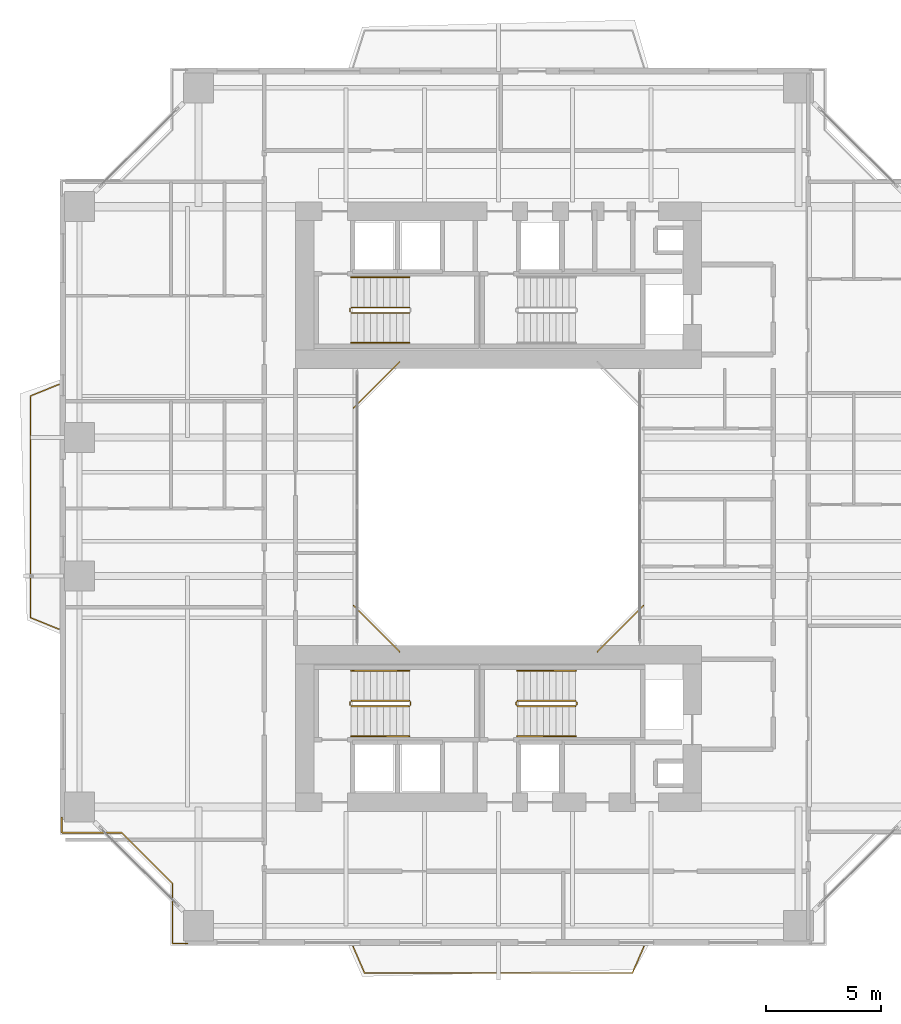
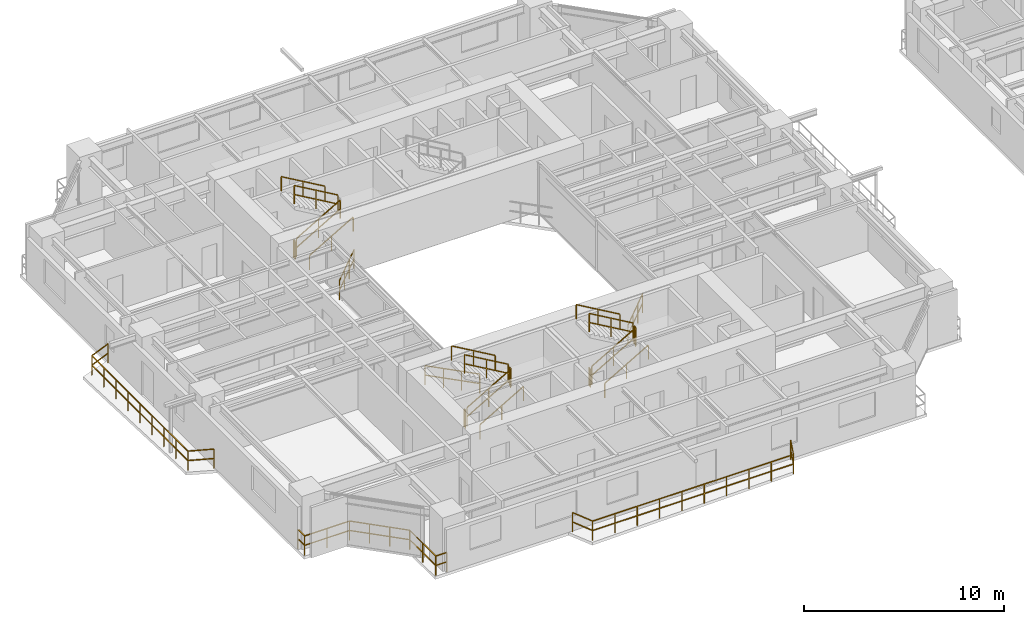
# One storey, part 20 of 23: 23 railings.
"""IFC4 building model written with IfcOpenShell, lengths in metres."""

from ifc_helpers import new_model, si_unit, direction, frame, origin, origin_2d, place, context, subcontext, project, spatial, rectangle, extrude, material, type_object, element, save


model = new_model("IFC4")

# Units and contexts
model_context = context("Model", 3, precision=1e-05, world=origin(), true_north=direction((0.0, 1.0)))
body_context = subcontext(model_context, "Body", "Model", "MODEL_VIEW")
ifc_project = project(units=[si_unit("LENGTHUNIT", "METRE"), si_unit("AREAUNIT", "SQUARE_METRE"), si_unit("VOLUMEUNIT", "CUBIC_METRE"), si_unit("PLANEANGLEUNIT", "RADIAN"), si_unit("MASSUNIT", "GRAM", prefix="KILO"), si_unit("THERMODYNAMICTEMPERATUREUNIT", "KELVIN"), si_unit("POWERUNIT", "WATT")], contexts=[model_context])

# Site, building, storey
site_placement = place(None, origin())
site = spatial("IfcSite", under=ifc_project, at=site_placement, CompositionType="ELEMENT")
building_placement = place(site_placement, origin())
building = spatial("IfcBuilding", under=site, at=building_placement, Name="Qiaomeng Ring Towers", CompositionType="ELEMENT")
storey_placement = place(building_placement, frame((0.0, 0.0, 79.5)))
storey = spatial("IfcBuildingStorey", under=building, at=storey_placement, Name="L22", CompositionType="ELEMENT", Elevation=79.5)

# Railings
ifc_material_1 = material(Name="Low-E pale-green laminated safety glass", Category="glass")
railing_type_1 = type_object("IfcRailingType", Name="ARC-RL-BAL1", PredefinedType="BALUSTRADE", material=ifc_material_1)
railing_1_placement = place(storey_placement, frame((23.280029296875, 16.719970703125, 0.0)))
element("IfcRailing", 1, at=railing_1_placement, inside=storey, type_object=railing_type_1, Name="L22 Balustrade ARC-BAL-WELL1-L22-1", PredefinedType="BALUSTRADE", context=body_context, shape_type="SweptSolid", body=[
    extrude(rectangle(XDim=0.048095703125, YDim=0.048095703125, at=origin_2d()), frame((0.0, 0.0, 1.17578125), z_axis=(0.707106781187, 0.707106781187, 0.0), x_axis=(-0.707106781187, 0.707106781187, 0.0)), (0.0, 0.0, 1.0), 2.828369140625),
    extrude(rectangle(XDim=0.048095703125, YDim=0.048095703125, at=origin_2d()), frame((0.0, 0.0, 0.60009765625), z_axis=(0.707106781187, 0.707106781187, 0.0), x_axis=(-0.707106781187, 0.707106781187, 0.0)), (0.0, 0.0, 1.0), 2.828369140625),
    extrude(rectangle(XDim=0.0419921875, YDim=0.0419921875, at=origin_2d()), origin(), (0.0, 0.0, 1.0), 1.15185546875),
    extrude(rectangle(XDim=0.0419921875, YDim=0.0419921875, at=origin_2d()), frame((0.666748046875, 0.666748046875, 0.0)), (0.0, 0.0, 1.0), 1.15185546875),
    extrude(rectangle(XDim=0.0419921875, YDim=0.0419921875, at=origin_2d()), frame((1.333251953125, 1.333251953125, 0.0)), (0.0, 0.0, 1.0), 1.15185546875),
    extrude(rectangle(XDim=0.0419921875, YDim=0.0419921875, at=origin_2d()), frame((2.0, 2.0, 0.0)), (0.0, 0.0, 1.0), 1.15185546875),
])
railing_2_placement = place(storey_placement, frame((14.719970703125, 29.280029296875, 0.0)))
element("IfcRailing", 2, at=railing_2_placement, inside=storey, type_object=railing_type_1, Name="L22 Balustrade ARC-BAL-WELL1-L22-3", PredefinedType="BALUSTRADE", context=body_context, shape_type="SweptSolid", body=[
    extrude(rectangle(XDim=0.048095703125, YDim=0.048095703125, at=origin_2d()), frame((0.0, 0.0, 1.17578125), z_axis=(-0.707106781187, -0.707106781187, 0.0), x_axis=(0.707106781187, -0.707106781187, 0.0)), (0.0, 0.0, 1.0), 2.828369140625),
    extrude(rectangle(XDim=0.048095703125, YDim=0.048095703125, at=origin_2d()), frame((0.0, 0.0, 0.60009765625), z_axis=(-0.707106781187, -0.707106781187, 0.0), x_axis=(0.707106781187, -0.707106781187, 0.0)), (0.0, 0.0, 1.0), 2.828369140625),
    extrude(rectangle(XDim=0.0419921875, YDim=0.0419921875, at=origin_2d()), origin(), (0.0, 0.0, 1.0), 1.15185546875),
    extrude(rectangle(XDim=0.0419921875, YDim=0.0419921875, at=origin_2d()), frame((-0.666748046875, -0.666748046875, 0.0)), (0.0, 0.0, 1.0), 1.15185546875),
    extrude(rectangle(XDim=0.0419921875, YDim=0.0419921875, at=origin_2d()), frame((-1.333251953125, -1.333251953125, 0.0)), (0.0, 0.0, 1.0), 1.15185546875),
    extrude(rectangle(XDim=0.0419921875, YDim=0.0419921875, at=origin_2d()), frame((-2.0, -2.0, 0.0)), (0.0, 0.0, 1.0), 1.15185546875),
])
railing_3_placement = place(storey_placement, frame((12.719970703125, 18.719970703125, 0.0)))
element("IfcRailing", 3, at=railing_3_placement, inside=storey, type_object=railing_type_1, Name="L22 Balustrade ARC-BAL-WELL1-L22-4", PredefinedType="BALUSTRADE", context=body_context, shape_type="SweptSolid", body=[
    extrude(rectangle(XDim=0.048095703125, YDim=0.048095703125, at=origin_2d()), frame((0.0, 0.0, 1.17578125), z_axis=(0.707106781187, -0.707106781187, 0.0), x_axis=(0.707106781187, 0.707106781187, 0.0)), (0.0, 0.0, 1.0), 2.828369140625),
    extrude(rectangle(XDim=0.048095703125, YDim=0.048095703125, at=origin_2d()), frame((0.0, 0.0, 0.60009765625), z_axis=(0.707106781187, -0.707106781187, 0.0), x_axis=(0.707106781187, 0.707106781187, 0.0)), (0.0, 0.0, 1.0), 2.828369140625),
    extrude(rectangle(XDim=0.0419921875, YDim=0.0419921875, at=origin_2d()), origin(), (0.0, 0.0, 1.0), 1.15185546875),
    extrude(rectangle(XDim=0.0419921875, YDim=0.0419921875, at=origin_2d()), frame((0.666748046875, -0.666748046875, 0.0)), (0.0, 0.0, 1.0), 1.15185546875),
    extrude(rectangle(XDim=0.0419921875, YDim=0.0419921875, at=origin_2d()), frame((1.333251953125, -1.333251953125, 0.0)), (0.0, 0.0, 1.0), 1.15185546875),
    extrude(rectangle(XDim=0.0419921875, YDim=0.0419921875, at=origin_2d()), frame((2.0, -2.0, 0.0)), (0.0, 0.0, 1.0), 1.15185546875),
])
railing_4_placement = place(storey_placement, frame((0.080078125, 9.530029296875, 0.0)))
element("IfcRailing", 4, at=railing_4_placement, inside=storey, type_object=railing_type_1, Name="L22 Balustrade ARC-BAL-NOTCH1-L22-SW", PredefinedType="BALUSTRADE", context=body_context, shape_type="SweptSolid", body=[
    extrude(rectangle(XDim=0.048095703125, YDim=0.048095703125, at=origin_2d()), frame((0.0, 0.0, 1.17578125), z_axis=(0.0, -1.0, 0.0), x_axis=(1.0, 0.0, 0.0)), (0.0, 0.0, 1.0), 0.650146484375),
    extrude(rectangle(XDim=0.048095703125, YDim=0.048095703125, at=origin_2d()), frame((0.0, 0.0, 0.60009765625), z_axis=(0.0, -1.0, 0.0), x_axis=(1.0, 0.0, 0.0)), (0.0, 0.0, 1.0), 0.650146484375),
    extrude(rectangle(XDim=0.048095703125, YDim=0.048095703125, at=origin_2d()), frame((0.0, -0.650146484375, 1.17578125), z_axis=(1.0, 0.0, 0.0), x_axis=(0.0, 1.0, 0.0)), (0.0, 0.0, 1.0), 2.599853515625),
    extrude(rectangle(XDim=0.048095703125, YDim=0.048095703125, at=origin_2d()), frame((0.0, -0.650146484375, 0.60009765625), z_axis=(1.0, 0.0, 0.0), x_axis=(0.0, 1.0, 0.0)), (0.0, 0.0, 1.0), 2.599853515625),
    extrude(rectangle(XDim=0.048095703125, YDim=0.048095703125, at=origin_2d()), frame((2.599853515625, -0.650146484375, 1.17578125), z_axis=(0.707106781187, -0.707106781187, 0.0), x_axis=(0.707106781187, 0.707106781187, 0.0)), (0.0, 0.0, 1.0), 3.111083984375),
    extrude(rectangle(XDim=0.048095703125, YDim=0.048095703125, at=origin_2d()), frame((2.599853515625, -0.650146484375, 0.60009765625), z_axis=(0.707106781187, -0.707106781187, 0.0), x_axis=(0.707106781187, 0.707106781187, 0.0)), (0.0, 0.0, 1.0), 3.111083984375),
    extrude(rectangle(XDim=0.048095703125, YDim=0.048095703125, at=origin_2d()), frame((4.7998046875, -2.85009765625, 1.17578125), z_axis=(0.0, -1.0, 0.0), x_axis=(1.0, 0.0, 0.0)), (0.0, 0.0, 1.0), 2.599853515625),
    extrude(rectangle(XDim=0.048095703125, YDim=0.048095703125, at=origin_2d()), frame((4.7998046875, -2.85009765625, 0.60009765625), z_axis=(0.0, -1.0, 0.0), x_axis=(1.0, 0.0, 0.0)), (0.0, 0.0, 1.0), 2.599853515625),
    extrude(rectangle(XDim=0.048095703125, YDim=0.048095703125, at=origin_2d()), frame((4.7998046875, -5.449951171875, 1.17578125), z_axis=(1.0, 0.0, 0.0), x_axis=(0.0, 1.0, 0.0)), (0.0, 0.0, 1.0), 0.650146484375),
    extrude(rectangle(XDim=0.048095703125, YDim=0.048095703125, at=origin_2d()), frame((4.7998046875, -5.449951171875, 0.60009765625), z_axis=(1.0, 0.0, 0.0), x_axis=(0.0, 1.0, 0.0)), (0.0, 0.0, 1.0), 0.650146484375),
    extrude(rectangle(XDim=0.0419921875, YDim=0.0419921875, at=origin_2d()), origin(), (0.0, 0.0, 1.0), 1.15185546875),
    extrude(rectangle(XDim=0.0419921875, YDim=0.0419921875, at=origin_2d()), frame((0.0, -0.650146484375, 0.0)), (0.0, 0.0, 1.0), 1.15185546875),
    extrude(rectangle(XDim=0.0419921875, YDim=0.0419921875, at=origin_2d()), frame((1.2998046875, -0.650146484375, 0.0)), (0.0, 0.0, 1.0), 1.15185546875),
    extrude(rectangle(XDim=0.0419921875, YDim=0.0419921875, at=origin_2d()), frame((2.599853515625, -0.650146484375, 0.0)), (0.0, 0.0, 1.0), 1.15185546875),
    extrude(rectangle(XDim=0.0419921875, YDim=0.0419921875, at=origin_2d()), frame((3.333251953125, -1.383544921875, 0.0)), (0.0, 0.0, 1.0), 1.15185546875),
    extrude(rectangle(XDim=0.0419921875, YDim=0.0419921875, at=origin_2d()), frame((4.06640625, -2.11669921875, 0.0)), (0.0, 0.0, 1.0), 1.15185546875),
    extrude(rectangle(XDim=0.0419921875, YDim=0.0419921875, at=origin_2d()), frame((4.7998046875, -2.85009765625, 0.0)), (0.0, 0.0, 1.0), 1.15185546875),
    extrude(rectangle(XDim=0.0419921875, YDim=0.0419921875, at=origin_2d()), frame((4.7998046875, -4.14990234375, 0.0)), (0.0, 0.0, 1.0), 1.15185546875),
    extrude(rectangle(XDim=0.0419921875, YDim=0.0419921875, at=origin_2d()), frame((4.7998046875, -5.449951171875, 0.0)), (0.0, 0.0, 1.0), 1.15185546875),
    extrude(rectangle(XDim=0.0419921875, YDim=0.0419921875, at=origin_2d()), frame((5.449951171875, -5.449951171875, 0.0)), (0.0, 0.0, 1.0), 1.15185546875),
])
railing_5_placement = place(storey_placement, frame((12.699951171875, 3.949951171875, 0.0)))
element("IfcRailing", 5, at=railing_5_placement, inside=storey, type_object=railing_type_1, Name="L22 Balustrade ARC-BAL-L22-T1-S", PredefinedType="BALUSTRADE", context=body_context, shape_type="SweptSolid", body=[
    extrude(rectangle(XDim=0.048095703125, YDim=0.048095703125, at=origin_2d()), frame((0.0, 0.0, 1.17578125), z_axis=(0.398754589448, -0.917057673974, 0.0), x_axis=(0.917057673974, 0.398754589448, 0.0)), (0.0, 0.0, 1.0), 1.25390625),
    extrude(rectangle(XDim=0.048095703125, YDim=0.048095703125, at=origin_2d()), frame((0.0, 0.0, 0.60009765625), z_axis=(0.398754589448, -0.917057673974, 0.0), x_axis=(0.917057673974, 0.398754589448, 0.0)), (0.0, 0.0, 1.0), 1.25390625),
    extrude(rectangle(XDim=0.048095703125, YDim=0.048095703125, at=origin_2d()), frame((0.5, -1.14990234375, 1.17578125), z_axis=(1.0, 0.0, 0.0), x_axis=(0.0, 1.0, 0.0)), (0.0, 0.0, 1.0), 11.60009765625),
    extrude(rectangle(XDim=0.048095703125, YDim=0.048095703125, at=origin_2d()), frame((0.5, -1.14990234375, 0.60009765625), z_axis=(1.0, 0.0, 0.0), x_axis=(0.0, 1.0, 0.0)), (0.0, 0.0, 1.0), 11.60009765625),
    extrude(rectangle(XDim=0.048095703125, YDim=0.048095703125, at=origin_2d()), frame((12.10009765625, -1.14990234375, 1.17578125), z_axis=(0.398754589448, 0.917057673974, 0.0), x_axis=(-0.917057673974, 0.398754589448, 0.0)), (0.0, 0.0, 1.0), 1.25390625),
    extrude(rectangle(XDim=0.048095703125, YDim=0.048095703125, at=origin_2d()), frame((12.10009765625, -1.14990234375, 0.60009765625), z_axis=(0.398754589448, 0.917057673974, 0.0), x_axis=(-0.917057673974, 0.398754589448, 0.0)), (0.0, 0.0, 1.0), 1.25390625),
    extrude(rectangle(XDim=0.0419921875, YDim=0.0419921875, at=origin_2d()), origin(), (0.0, 0.0, 1.0), 1.15185546875),
    extrude(rectangle(XDim=0.0419921875, YDim=0.0419921875, at=origin_2d()), frame((0.5, -1.14990234375, 0.0)), (0.0, 0.0, 1.0), 1.15185546875),
    extrude(rectangle(XDim=0.0419921875, YDim=0.0419921875, at=origin_2d()), frame((1.788818359375, -1.14990234375, 0.0)), (0.0, 0.0, 1.0), 1.15185546875),
    extrude(rectangle(XDim=0.0419921875, YDim=0.0419921875, at=origin_2d()), frame((3.077880859375, -1.14990234375, 0.0)), (0.0, 0.0, 1.0), 1.15185546875),
    extrude(rectangle(XDim=0.0419921875, YDim=0.0419921875, at=origin_2d()), frame((4.36669921875, -1.14990234375, 0.0)), (0.0, 0.0, 1.0), 1.15185546875),
    extrude(rectangle(XDim=0.0419921875, YDim=0.0419921875, at=origin_2d()), frame((5.655517578125, -1.14990234375, 0.0)), (0.0, 0.0, 1.0), 1.15185546875),
    extrude(rectangle(XDim=0.0419921875, YDim=0.0419921875, at=origin_2d()), frame((6.944580078125, -1.14990234375, 0.0)), (0.0, 0.0, 1.0), 1.15185546875),
    extrude(rectangle(XDim=0.0419921875, YDim=0.0419921875, at=origin_2d()), frame((8.2333984375, -1.14990234375, 0.0)), (0.0, 0.0, 1.0), 1.15185546875),
    extrude(rectangle(XDim=0.0419921875, YDim=0.0419921875, at=origin_2d()), frame((9.522216796875, -1.14990234375, 0.0)), (0.0, 0.0, 1.0), 1.15185546875),
    extrude(rectangle(XDim=0.0419921875, YDim=0.0419921875, at=origin_2d()), frame((10.811279296875, -1.14990234375, 0.0)), (0.0, 0.0, 1.0), 1.15185546875),
    extrude(rectangle(XDim=0.0419921875, YDim=0.0419921875, at=origin_2d()), frame((12.10009765625, -1.14990234375, 0.0)), (0.0, 0.0, 1.0), 1.15185546875),
    extrude(rectangle(XDim=0.0419921875, YDim=0.0419921875, at=origin_2d()), frame((12.60009765625, 0.0, 0.0)), (0.0, 0.0, 1.0), 1.15185546875),
])
railing_6_placement = place(storey_placement, frame((-0.050048828125, 17.699951171875, 0.0)))
element("IfcRailing", 6, at=railing_6_placement, inside=storey, type_object=railing_type_1, Name="L22 Balustrade ARC-BAL-L22-T1-W", PredefinedType="BALUSTRADE", context=body_context, shape_type="SweptSolid", body=[
    extrude(rectangle(XDim=0.048095703125, YDim=0.048095703125, at=origin_2d()), frame((0.0, 0.0, 1.17578125), z_axis=(-0.926382398109, 0.376584190418, 0.0), x_axis=(-0.376584190418, -0.926382398109, 0.0)), (0.0, 0.0, 1.0), 1.32763671875),
    extrude(rectangle(XDim=0.048095703125, YDim=0.048095703125, at=origin_2d()), frame((0.0, 0.0, 0.60009765625), z_axis=(-0.926382398109, 0.376584190418, 0.0), x_axis=(-0.376584190418, -0.926382398109, 0.0)), (0.0, 0.0, 1.0), 1.32763671875),
    extrude(rectangle(XDim=0.048095703125, YDim=0.048095703125, at=origin_2d()), frame((-1.22998046875, 0.5, 1.17578125), z_axis=(0.0, 1.0, 0.0), x_axis=(-1.0, 0.0, 0.0)), (0.0, 0.0, 1.0), 9.60009765625),
    extrude(rectangle(XDim=0.048095703125, YDim=0.048095703125, at=origin_2d()), frame((-1.22998046875, 0.5, 0.60009765625), z_axis=(0.0, 1.0, 0.0), x_axis=(-1.0, 0.0, 0.0)), (0.0, 0.0, 1.0), 9.60009765625),
    extrude(rectangle(XDim=0.048095703125, YDim=0.048095703125, at=origin_2d()), frame((-1.22998046875, 10.10009765625, 1.17578125), z_axis=(0.926382398109, 0.376584190418, 0.0), x_axis=(-0.376584190418, 0.926382398109, 0.0)), (0.0, 0.0, 1.0), 1.32763671875),
    extrude(rectangle(XDim=0.048095703125, YDim=0.048095703125, at=origin_2d()), frame((-1.22998046875, 10.10009765625, 0.60009765625), z_axis=(0.926382398109, 0.376584190418, 0.0), x_axis=(-0.376584190418, 0.926382398109, 0.0)), (0.0, 0.0, 1.0), 1.32763671875),
    extrude(rectangle(XDim=0.0419921875, YDim=0.0419921875, at=origin_2d()), origin(), (0.0, 0.0, 1.0), 1.15185546875),
    extrude(rectangle(XDim=0.0419921875, YDim=0.0419921875, at=origin_2d()), frame((-1.22998046875, 0.5, 0.0)), (0.0, 0.0, 1.0), 1.15185546875),
    extrude(rectangle(XDim=0.0419921875, YDim=0.0419921875, at=origin_2d()), frame((-1.22998046875, 1.699951171875, 0.0)), (0.0, 0.0, 1.0), 1.15185546875),
    extrude(rectangle(XDim=0.0419921875, YDim=0.0419921875, at=origin_2d()), frame((-1.22998046875, 2.89990234375, 0.0)), (0.0, 0.0, 1.0), 1.15185546875),
    extrude(rectangle(XDim=0.0419921875, YDim=0.0419921875, at=origin_2d()), frame((-1.22998046875, 4.10009765625, 0.0)), (0.0, 0.0, 1.0), 1.15185546875),
    extrude(rectangle(XDim=0.0419921875, YDim=0.0419921875, at=origin_2d()), frame((-1.22998046875, 5.300048828125, 0.0)), (0.0, 0.0, 1.0), 1.15185546875),
    extrude(rectangle(XDim=0.0419921875, YDim=0.0419921875, at=origin_2d()), frame((-1.22998046875, 6.5, 0.0)), (0.0, 0.0, 1.0), 1.15185546875),
    extrude(rectangle(XDim=0.0419921875, YDim=0.0419921875, at=origin_2d()), frame((-1.22998046875, 7.7001953125, 0.0)), (0.0, 0.0, 1.0), 1.15185546875),
    extrude(rectangle(XDim=0.0419921875, YDim=0.0419921875, at=origin_2d()), frame((-1.22998046875, 8.900146484375, 0.0)), (0.0, 0.0, 1.0), 1.15185546875),
    extrude(rectangle(XDim=0.0419921875, YDim=0.0419921875, at=origin_2d()), frame((-1.22998046875, 10.10009765625, 0.0)), (0.0, 0.0, 1.0), 1.15185546875),
    extrude(rectangle(XDim=0.0419921875, YDim=0.0419921875, at=origin_2d()), frame((0.0, 10.60009765625, 0.0)), (0.0, 0.0, 1.0), 1.15185546875),
])
ifc_material_2 = material(Name="Galvanised steel", Category="steel")
railing_type_2 = type_object("IfcRailingType", Name="ARC-RL-GUARD", PredefinedType="GUARDRAIL", material=ifc_material_2)
railing_7_placement = place(storey_placement, frame((12.6201171875, 31.39990234375, 0.16259765625)))
element("IfcRailing", 7, at=railing_7_placement, inside=storey, type_object=railing_type_2, Name="L22 ST1 stair guard 1", PredefinedType="GUARDRAIL", context=body_context, shape_type="SweptSolid", body=[
    extrude(rectangle(XDim=0.048095703125, YDim=0.048095703125, at=origin_2d()), frame((0.0, 0.0, 1.1259765625), z_axis=(0.864892226395, 0.0, 0.501957604506), x_axis=(0.0, 1.0, 0.0)), (0.0, 0.0, 1.0), 2.913330078125),
    extrude(rectangle(XDim=0.048095703125, YDim=0.048095703125, at=origin_2d()), frame((0.0, 0.0, 0.574951171875), z_axis=(0.864892226395, 0.0, 0.501957604506), x_axis=(0.0, 1.0, 0.0)), (0.0, 0.0, 1.0), 2.913330078125),
    extrude(rectangle(XDim=0.0419921875, YDim=0.0419921875, at=origin_2d()), origin(), (0.0, 0.0, 1.0), 1.101806640625),
    extrude(rectangle(XDim=0.0419921875, YDim=0.0419921875, at=origin_2d()), frame((1.259765625, 0.0, 0.731201171875)), (0.0, 0.0, 1.0), 1.101806640625),
    extrude(rectangle(XDim=0.0419921875, YDim=0.0419921875, at=origin_2d()), frame((2.519775390625, 0.0, 1.46240234375)), (0.0, 0.0, 1.0), 1.101806640625),
])
railing_8_placement = place(storey_placement, frame((15.139892578125, 31.639892578125, 1.78759765625)))
element("IfcRailing", 8, at=railing_8_placement, inside=storey, type_object=railing_type_2, Name="L22 ST1 stair guard 3", PredefinedType="GUARDRAIL", context=body_context, shape_type="SweptSolid", body=[
    extrude(rectangle(XDim=0.048095703125, YDim=0.048095703125, at=origin_2d()), frame((0.0, 0.0, 1.1259765625), z_axis=(-0.864892226395, 0.0, 0.501957604506), x_axis=(0.0, -1.0, 0.0)), (0.0, 0.0, 1.0), 2.913330078125),
    extrude(rectangle(XDim=0.048095703125, YDim=0.048095703125, at=origin_2d()), frame((0.0, 0.0, 0.574951171875), z_axis=(-0.864892226395, 0.0, 0.501957604506), x_axis=(0.0, -1.0, 0.0)), (0.0, 0.0, 1.0), 2.913330078125),
    extrude(rectangle(XDim=0.0419921875, YDim=0.0419921875, at=origin_2d()), origin(), (0.0, 0.0, 1.0), 1.101806640625),
    extrude(rectangle(XDim=0.0419921875, YDim=0.0419921875, at=origin_2d()), frame((-1.259765625, 0.0, 0.731201171875)), (0.0, 0.0, 1.0), 1.101806640625),
    extrude(rectangle(XDim=0.0419921875, YDim=0.0419921875, at=origin_2d()), frame((-2.519775390625, 0.0, 1.46240234375)), (0.0, 0.0, 1.0), 1.101806640625),
])
railing_9_placement = place(storey_placement, frame((12.570068359375, 31.449951171875, 0.0)))
element("IfcRailing", 9, at=railing_9_placement, inside=storey, type_object=railing_type_2, Name="L22 ST1 stair guard 4", PredefinedType="GUARDRAIL", context=body_context, shape_type="SweptSolid", body=[
    extrude(rectangle(XDim=0.048095703125, YDim=0.048095703125, at=origin_2d()), frame((0.0, 0.0, 1.1259765625), z_axis=(0.0, 1.0, 0.0), x_axis=(-1.0, 0.0, 0.0)), (0.0, 0.0, 1.0), 0.14013671875),
    extrude(rectangle(XDim=0.048095703125, YDim=0.048095703125, at=origin_2d()), frame((0.0, 0.0, 0.574951171875), z_axis=(0.0, 1.0, 0.0), x_axis=(-1.0, 0.0, 0.0)), (0.0, 0.0, 1.0), 0.14013671875),
    extrude(rectangle(XDim=0.0419921875, YDim=0.0419921875, at=origin_2d()), origin(), (0.0, 0.0, 1.0), 1.101806640625),
    extrude(rectangle(XDim=0.0419921875, YDim=0.0419921875, at=origin_2d()), frame((0.0, 0.14013671875, 0.0)), (0.0, 0.0, 1.0), 1.101806640625),
])
railing_10_placement = place(storey_placement, frame((12.6201171875, 14.360107421875, 0.16259765625)))
element("IfcRailing", 10, at=railing_10_placement, inside=storey, type_object=railing_type_2, Name="L22 ST3 stair guard 1", PredefinedType="GUARDRAIL", context=body_context, shape_type="SweptSolid", body=[
    extrude(rectangle(XDim=0.048095703125, YDim=0.048095703125, at=origin_2d()), frame((0.0, 0.0, 1.1259765625), z_axis=(0.864892226395, 0.0, 0.501957604506), x_axis=(0.0, 1.0, 0.0)), (0.0, 0.0, 1.0), 2.913330078125),
    extrude(rectangle(XDim=0.048095703125, YDim=0.048095703125, at=origin_2d()), frame((0.0, 0.0, 0.574951171875), z_axis=(0.864892226395, 0.0, 0.501957604506), x_axis=(0.0, 1.0, 0.0)), (0.0, 0.0, 1.0), 2.913330078125),
    extrude(rectangle(XDim=0.0419921875, YDim=0.0419921875, at=origin_2d()), origin(), (0.0, 0.0, 1.0), 1.101806640625),
    extrude(rectangle(XDim=0.0419921875, YDim=0.0419921875, at=origin_2d()), frame((1.259765625, 0.0, 0.731201171875)), (0.0, 0.0, 1.0), 1.101806640625),
    extrude(rectangle(XDim=0.0419921875, YDim=0.0419921875, at=origin_2d()), frame((2.519775390625, 0.0, 1.46240234375)), (0.0, 0.0, 1.0), 1.101806640625),
])
railing_11_placement = place(storey_placement, frame((15.18994140625, 14.409912109375, 1.625)))
element("IfcRailing", 11, at=railing_11_placement, inside=storey, type_object=railing_type_2, Name="L22 ST3 stair guard 2", PredefinedType="GUARDRAIL", context=body_context, shape_type="SweptSolid", body=[
    extrude(rectangle(XDim=0.048095703125, YDim=0.048095703125, at=origin_2d()), frame((0.0, 0.0, 1.1259765625), z_axis=(0.0, 1.0, 0.0), x_axis=(-1.0, 0.0, 0.0)), (0.0, 0.0, 1.0), 0.14013671875),
    extrude(rectangle(XDim=0.048095703125, YDim=0.048095703125, at=origin_2d()), frame((0.0, 0.0, 0.574951171875), z_axis=(0.0, 1.0, 0.0), x_axis=(-1.0, 0.0, 0.0)), (0.0, 0.0, 1.0), 0.14013671875),
    extrude(rectangle(XDim=0.0419921875, YDim=0.0419921875, at=origin_2d()), origin(), (0.0, 0.0, 1.0), 1.101806640625),
    extrude(rectangle(XDim=0.0419921875, YDim=0.0419921875, at=origin_2d()), frame((0.0, 0.14013671875, 0.0)), (0.0, 0.0, 1.0), 1.101806640625),
])
railing_12_placement = place(storey_placement, frame((15.139892578125, 14.60009765625, 1.78759765625)))
element("IfcRailing", 12, at=railing_12_placement, inside=storey, type_object=railing_type_2, Name="L22 ST3 stair guard 3", PredefinedType="GUARDRAIL", context=body_context, shape_type="SweptSolid", body=[
    extrude(rectangle(XDim=0.048095703125, YDim=0.048095703125, at=origin_2d()), frame((0.0, 0.0, 1.1259765625), z_axis=(-0.864892226395, 0.0, 0.501957604506), x_axis=(0.0, -1.0, 0.0)), (0.0, 0.0, 1.0), 2.913330078125),
    extrude(rectangle(XDim=0.048095703125, YDim=0.048095703125, at=origin_2d()), frame((0.0, 0.0, 0.574951171875), z_axis=(-0.864892226395, 0.0, 0.501957604506), x_axis=(0.0, -1.0, 0.0)), (0.0, 0.0, 1.0), 2.913330078125),
    extrude(rectangle(XDim=0.0419921875, YDim=0.0419921875, at=origin_2d()), origin(), (0.0, 0.0, 1.0), 1.101806640625),
    extrude(rectangle(XDim=0.0419921875, YDim=0.0419921875, at=origin_2d()), frame((-1.259765625, 0.0, 0.731201171875)), (0.0, 0.0, 1.0), 1.101806640625),
    extrude(rectangle(XDim=0.0419921875, YDim=0.0419921875, at=origin_2d()), frame((-2.519775390625, 0.0, 1.46240234375)), (0.0, 0.0, 1.0), 1.101806640625),
])
railing_13_placement = place(storey_placement, frame((12.570068359375, 14.409912109375, 0.0)))
element("IfcRailing", 13, at=railing_13_placement, inside=storey, type_object=railing_type_2, Name="L22 ST3 stair guard 4", PredefinedType="GUARDRAIL", context=body_context, shape_type="SweptSolid", body=[
    extrude(rectangle(XDim=0.048095703125, YDim=0.048095703125, at=origin_2d()), frame((0.0, 0.0, 1.1259765625), z_axis=(0.0, 1.0, 0.0), x_axis=(-1.0, 0.0, 0.0)), (0.0, 0.0, 1.0), 0.14013671875),
    extrude(rectangle(XDim=0.048095703125, YDim=0.048095703125, at=origin_2d()), frame((0.0, 0.0, 0.574951171875), z_axis=(0.0, 1.0, 0.0), x_axis=(-1.0, 0.0, 0.0)), (0.0, 0.0, 1.0), 0.14013671875),
    extrude(rectangle(XDim=0.0419921875, YDim=0.0419921875, at=origin_2d()), origin(), (0.0, 0.0, 1.0), 1.101806640625),
    extrude(rectangle(XDim=0.0419921875, YDim=0.0419921875, at=origin_2d()), frame((0.0, 0.14013671875, 0.0)), (0.0, 0.0, 1.0), 1.101806640625),
])
railing_14_placement = place(storey_placement, frame((19.820068359375, 14.360107421875, 0.16259765625)))
element("IfcRailing", 14, at=railing_14_placement, inside=storey, type_object=railing_type_2, Name="L22 ST4 stair guard 1", PredefinedType="GUARDRAIL", context=body_context, shape_type="SweptSolid", body=[
    extrude(rectangle(XDim=0.048095703125, YDim=0.048095703125, at=origin_2d()), frame((0.0, 0.0, 1.1259765625), z_axis=(0.864913338283, 0.0, 0.50192122615), x_axis=(0.0, 1.0, 0.0)), (0.0, 0.0, 1.0), 2.91357421875),
    extrude(rectangle(XDim=0.048095703125, YDim=0.048095703125, at=origin_2d()), frame((0.0, 0.0, 0.574951171875), z_axis=(0.864913338283, 0.0, 0.50192122615), x_axis=(0.0, 1.0, 0.0)), (0.0, 0.0, 1.0), 2.91357421875),
    extrude(rectangle(XDim=0.0419921875, YDim=0.0419921875, at=origin_2d()), origin(), (0.0, 0.0, 1.0), 1.101806640625),
    extrude(rectangle(XDim=0.0419921875, YDim=0.0419921875, at=origin_2d()), frame((1.260009765625, 0.0, 0.731201171875)), (0.0, 0.0, 1.0), 1.101806640625),
    extrude(rectangle(XDim=0.0419921875, YDim=0.0419921875, at=origin_2d()), frame((2.52001953125, 0.0, 1.46240234375)), (0.0, 0.0, 1.0), 1.101806640625),
])
railing_15_placement = place(storey_placement, frame((22.389892578125, 14.409912109375, 1.625)))
element("IfcRailing", 15, at=railing_15_placement, inside=storey, type_object=railing_type_2, Name="L22 ST4 stair guard 2", PredefinedType="GUARDRAIL", context=body_context, shape_type="SweptSolid", body=[
    extrude(rectangle(XDim=0.048095703125, YDim=0.048095703125, at=origin_2d()), frame((0.0, 0.0, 1.1259765625), z_axis=(0.0, 1.0, 0.0), x_axis=(-1.0, 0.0, 0.0)), (0.0, 0.0, 1.0), 0.14013671875),
    extrude(rectangle(XDim=0.048095703125, YDim=0.048095703125, at=origin_2d()), frame((0.0, 0.0, 0.574951171875), z_axis=(0.0, 1.0, 0.0), x_axis=(-1.0, 0.0, 0.0)), (0.0, 0.0, 1.0), 0.14013671875),
    extrude(rectangle(XDim=0.0419921875, YDim=0.0419921875, at=origin_2d()), origin(), (0.0, 0.0, 1.0), 1.101806640625),
    extrude(rectangle(XDim=0.0419921875, YDim=0.0419921875, at=origin_2d()), frame((0.0, 0.14013671875, 0.0)), (0.0, 0.0, 1.0), 1.101806640625),
])
railing_16_placement = place(storey_placement, frame((22.340087890625, 14.60009765625, 1.78759765625)))
element("IfcRailing", 16, at=railing_16_placement, inside=storey, type_object=railing_type_2, Name="L22 ST4 stair guard 3", PredefinedType="GUARDRAIL", context=body_context, shape_type="SweptSolid", body=[
    extrude(rectangle(XDim=0.048095703125, YDim=0.048095703125, at=origin_2d()), frame((0.0, 0.0, 1.1259765625), z_axis=(-0.864913338283, 0.0, 0.50192122615), x_axis=(0.0, -1.0, 0.0)), (0.0, 0.0, 1.0), 2.91357421875),
    extrude(rectangle(XDim=0.048095703125, YDim=0.048095703125, at=origin_2d()), frame((0.0, 0.0, 0.574951171875), z_axis=(-0.864913338283, 0.0, 0.50192122615), x_axis=(0.0, -1.0, 0.0)), (0.0, 0.0, 1.0), 2.91357421875),
    extrude(rectangle(XDim=0.0419921875, YDim=0.0419921875, at=origin_2d()), origin(), (0.0, 0.0, 1.0), 1.101806640625),
    extrude(rectangle(XDim=0.0419921875, YDim=0.0419921875, at=origin_2d()), frame((-1.260009765625, 0.0, 0.731201171875)), (0.0, 0.0, 1.0), 1.101806640625),
    extrude(rectangle(XDim=0.0419921875, YDim=0.0419921875, at=origin_2d()), frame((-2.52001953125, 0.0, 1.46240234375)), (0.0, 0.0, 1.0), 1.101806640625),
])
railing_17_placement = place(storey_placement, frame((19.77001953125, 14.409912109375, 0.0)))
element("IfcRailing", 17, at=railing_17_placement, inside=storey, type_object=railing_type_2, Name="L22 ST4 stair guard 4", PredefinedType="GUARDRAIL", context=body_context, shape_type="SweptSolid", body=[
    extrude(rectangle(XDim=0.048095703125, YDim=0.048095703125, at=origin_2d()), frame((0.0, 0.0, 1.1259765625), z_axis=(0.0, 1.0, 0.0), x_axis=(-1.0, 0.0, 0.0)), (0.0, 0.0, 1.0), 0.14013671875),
    extrude(rectangle(XDim=0.048095703125, YDim=0.048095703125, at=origin_2d()), frame((0.0, 0.0, 0.574951171875), z_axis=(0.0, 1.0, 0.0), x_axis=(-1.0, 0.0, 0.0)), (0.0, 0.0, 1.0), 0.14013671875),
    extrude(rectangle(XDim=0.0419921875, YDim=0.0419921875, at=origin_2d()), origin(), (0.0, 0.0, 1.0), 1.101806640625),
    extrude(rectangle(XDim=0.0419921875, YDim=0.0419921875, at=origin_2d()), frame((0.0, 0.14013671875, 0.0)), (0.0, 0.0, 1.0), 1.101806640625),
])
ifc_material_3 = material(Name="Stainless steel 316", Category="steel")
railing_type_3 = type_object("IfcRailingType", Name="ARC-RL-HAND", PredefinedType="HANDRAIL", material=ifc_material_3)
railing_18_placement = place(storey_placement, frame((12.6201171875, 30.10009765625, 0.16259765625)))
element("IfcRailing", 18, at=railing_18_placement, inside=storey, type_object=railing_type_3, Name="L22 ST1 stair handrail 1", PredefinedType="HANDRAIL", context=body_context, shape_type="SweptSolid", body=[
    extrude(rectangle(XDim=0.048095703125, YDim=0.048095703125, at=origin_2d()), frame((0.0, 0.0, 0.8759765625), z_axis=(0.864892226395, 0.0, 0.501957604506), x_axis=(0.0, 1.0, 0.0)), (0.0, 0.0, 1.0), 2.913330078125),
    extrude(rectangle(XDim=0.0419921875, YDim=0.0419921875, at=origin_2d()), origin(), (0.0, 0.0, 1.0), 0.851806640625),
    extrude(rectangle(XDim=0.0419921875, YDim=0.0419921875, at=origin_2d()), frame((1.259765625, 0.0, 0.731201171875)), (0.0, 0.0, 1.0), 0.851806640625),
    extrude(rectangle(XDim=0.0419921875, YDim=0.0419921875, at=origin_2d()), frame((2.519775390625, 0.0, 1.46240234375)), (0.0, 0.0, 1.0), 0.851806640625),
])
railing_19_placement = place(storey_placement, frame((15.139892578125, 32.93994140625, 1.78759765625)))
element("IfcRailing", 19, at=railing_19_placement, inside=storey, type_object=railing_type_3, Name="L22 ST1 stair handrail 2", PredefinedType="HANDRAIL", context=body_context, shape_type="SweptSolid", body=[
    extrude(rectangle(XDim=0.048095703125, YDim=0.048095703125, at=origin_2d()), frame((0.0, 0.0, 0.8759765625), z_axis=(-0.864892226395, 0.0, 0.501957604506), x_axis=(0.0, -1.0, 0.0)), (0.0, 0.0, 1.0), 2.913330078125),
    extrude(rectangle(XDim=0.0419921875, YDim=0.0419921875, at=origin_2d()), origin(), (0.0, 0.0, 1.0), 0.851806640625),
    extrude(rectangle(XDim=0.0419921875, YDim=0.0419921875, at=origin_2d()), frame((-1.259765625, 0.0, 0.731201171875)), (0.0, 0.0, 1.0), 0.851806640625),
    extrude(rectangle(XDim=0.0419921875, YDim=0.0419921875, at=origin_2d()), frame((-2.519775390625, 0.0, 1.46240234375)), (0.0, 0.0, 1.0), 0.851806640625),
])
railing_20_placement = place(storey_placement, frame((12.6201171875, 13.06005859375, 0.16259765625)))
element("IfcRailing", 20, at=railing_20_placement, inside=storey, type_object=railing_type_3, Name="L22 ST3 stair handrail 1", PredefinedType="HANDRAIL", context=body_context, shape_type="SweptSolid", body=[
    extrude(rectangle(XDim=0.048095703125, YDim=0.048095703125, at=origin_2d()), frame((0.0, 0.0, 0.8759765625), z_axis=(0.864892226395, 0.0, 0.501957604506), x_axis=(0.0, 1.0, 0.0)), (0.0, 0.0, 1.0), 2.913330078125),
    extrude(rectangle(XDim=0.0419921875, YDim=0.0419921875, at=origin_2d()), origin(), (0.0, 0.0, 1.0), 0.851806640625),
    extrude(rectangle(XDim=0.0419921875, YDim=0.0419921875, at=origin_2d()), frame((1.259765625, 0.0, 0.731201171875)), (0.0, 0.0, 1.0), 0.851806640625),
    extrude(rectangle(XDim=0.0419921875, YDim=0.0419921875, at=origin_2d()), frame((2.519775390625, 0.0, 1.46240234375)), (0.0, 0.0, 1.0), 0.851806640625),
])
railing_21_placement = place(storey_placement, frame((15.139892578125, 15.89990234375, 1.78759765625)))
element("IfcRailing", 21, at=railing_21_placement, inside=storey, type_object=railing_type_3, Name="L22 ST3 stair handrail 2", PredefinedType="HANDRAIL", context=body_context, shape_type="SweptSolid", body=[
    extrude(rectangle(XDim=0.048095703125, YDim=0.048095703125, at=origin_2d()), frame((0.0, 0.0, 0.8759765625), z_axis=(-0.864892226395, 0.0, 0.501957604506), x_axis=(0.0, -1.0, 0.0)), (0.0, 0.0, 1.0), 2.913330078125),
    extrude(rectangle(XDim=0.0419921875, YDim=0.0419921875, at=origin_2d()), origin(), (0.0, 0.0, 1.0), 0.851806640625),
    extrude(rectangle(XDim=0.0419921875, YDim=0.0419921875, at=origin_2d()), frame((-1.259765625, 0.0, 0.731201171875)), (0.0, 0.0, 1.0), 0.851806640625),
    extrude(rectangle(XDim=0.0419921875, YDim=0.0419921875, at=origin_2d()), frame((-2.519775390625, 0.0, 1.46240234375)), (0.0, 0.0, 1.0), 0.851806640625),
])
railing_22_placement = place(storey_placement, frame((19.820068359375, 13.06005859375, 0.16259765625)))
element("IfcRailing", 22, at=railing_22_placement, inside=storey, type_object=railing_type_3, Name="L22 ST4 stair handrail 1", PredefinedType="HANDRAIL", context=body_context, shape_type="SweptSolid", body=[
    extrude(rectangle(XDim=0.048095703125, YDim=0.048095703125, at=origin_2d()), frame((0.0, 0.0, 0.8759765625), z_axis=(0.864913338283, 0.0, 0.50192122615), x_axis=(0.0, 1.0, 0.0)), (0.0, 0.0, 1.0), 2.91357421875),
    extrude(rectangle(XDim=0.0419921875, YDim=0.0419921875, at=origin_2d()), origin(), (0.0, 0.0, 1.0), 0.851806640625),
    extrude(rectangle(XDim=0.0419921875, YDim=0.0419921875, at=origin_2d()), frame((1.260009765625, 0.0, 0.731201171875)), (0.0, 0.0, 1.0), 0.851806640625),
    extrude(rectangle(XDim=0.0419921875, YDim=0.0419921875, at=origin_2d()), frame((2.52001953125, 0.0, 1.46240234375)), (0.0, 0.0, 1.0), 0.851806640625),
])
railing_23_placement = place(storey_placement, frame((22.340087890625, 15.89990234375, 1.78759765625)))
element("IfcRailing", 23, at=railing_23_placement, inside=storey, type_object=railing_type_3, Name="L22 ST4 stair handrail 2", PredefinedType="HANDRAIL", context=body_context, shape_type="SweptSolid", body=[
    extrude(rectangle(XDim=0.048095703125, YDim=0.048095703125, at=origin_2d()), frame((0.0, 0.0, 0.8759765625), z_axis=(-0.864913338283, 0.0, 0.50192122615), x_axis=(0.0, -1.0, 0.0)), (0.0, 0.0, 1.0), 2.91357421875),
    extrude(rectangle(XDim=0.0419921875, YDim=0.0419921875, at=origin_2d()), origin(), (0.0, 0.0, 1.0), 0.851806640625),
    extrude(rectangle(XDim=0.0419921875, YDim=0.0419921875, at=origin_2d()), frame((-1.260009765625, 0.0, 0.731201171875)), (0.0, 0.0, 1.0), 0.851806640625),
    extrude(rectangle(XDim=0.0419921875, YDim=0.0419921875, at=origin_2d()), frame((-2.52001953125, 0.0, 1.46240234375)), (0.0, 0.0, 1.0), 0.851806640625),
])

save(model, "model.ifc")
